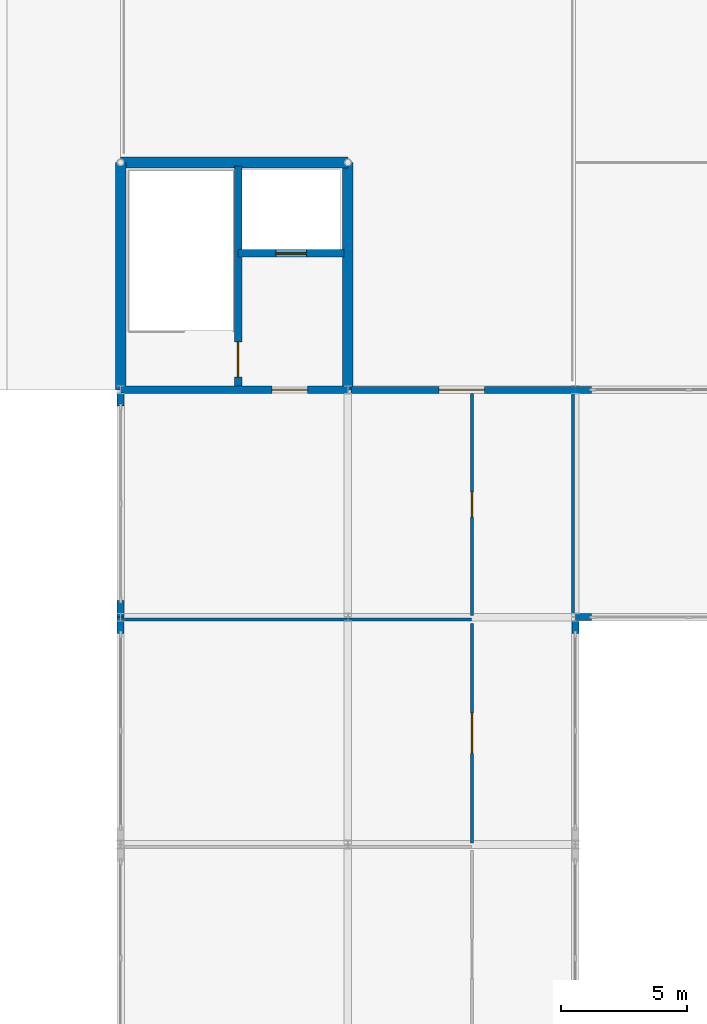
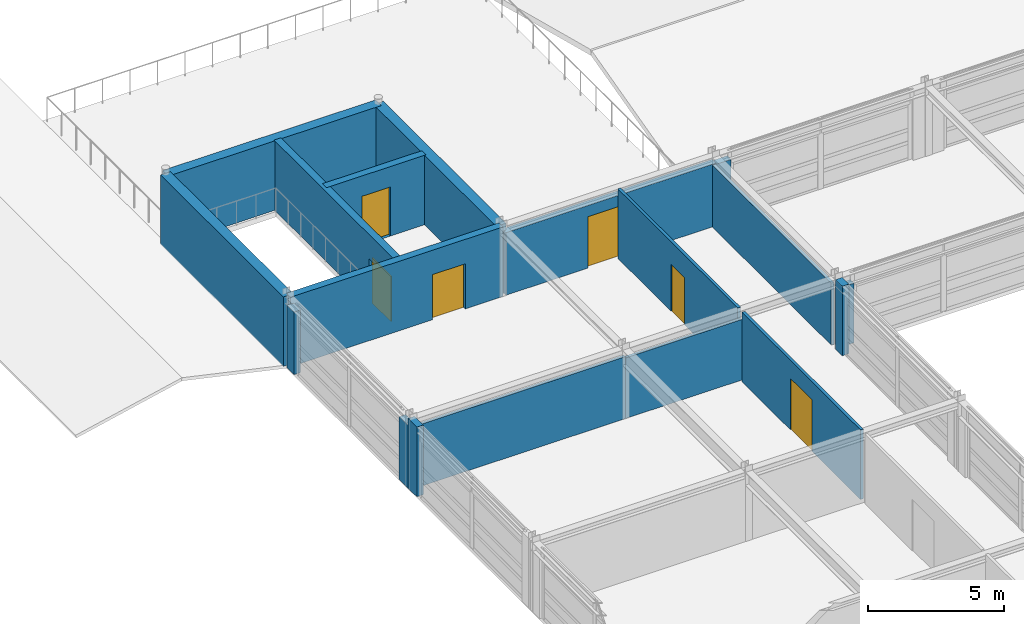
# One storey, part 75 of 91: 18 walls, 6 doors, 6 openings.
"""IFC4 building model written with IfcOpenShell, lengths in metres."""

from ifc_helpers import new_model, si_unit, direction, frame, frame_2d, origin, place, context, subcontext, project, spatial, rectangle, extrude, material, layer, layer_set, type_object, element, fill, save


model = new_model("IFC4")

# Units and contexts
model_context = context("Model", 3, precision=1e-05, world=origin(), true_north=direction((0.0, 1.0)))
body_context = subcontext(model_context, "Body", "Model", "MODEL_VIEW")
ifc_project = project(units=[si_unit("LENGTHUNIT", "METRE"), si_unit("AREAUNIT", "SQUARE_METRE"), si_unit("VOLUMEUNIT", "CUBIC_METRE"), si_unit("PLANEANGLEUNIT", "RADIAN"), si_unit("MASSUNIT", "GRAM", prefix="KILO")], contexts=[model_context])

# Site, building, storey
site_placement = place(None, origin())
site = spatial("IfcSite", under=ifc_project, at=site_placement, CompositionType="ELEMENT")
building_placement = place(site_placement, origin())
building = spatial("IfcBuilding", under=site, at=building_placement, Name="Palais des Congres Ocreval", CompositionType="ELEMENT")
storey_placement = place(building_placement, frame((0.0, 0.0, 8.159912109375)))
storey = spatial("IfcBuildingStorey", under=building, at=storey_placement, Name="L02", CompositionType="ELEMENT", Elevation=8.159912109375)

# Walls
ifc_material_1 = material(Name="Concrete C40/50", Category="concrete")
ifc_layer_1 = layer(ifc_material_1, 0.419921875)
ifc_layer_set_1 = layer_set([ifc_layer_1], Name="Congress Stone Facade Wall 420 Concrete C40/50")
wall_type_1 = type_object("IfcWallType", Name="Congress Stone Facade Wall 420 Concrete C40/50", PredefinedType="SOLIDWALL", material=ifc_layer_set_1)
for number, where, z_axis, x_axis, name in (
    (1, (108.0, 45.0, 0.0), (0.0, 0.0, 1.0), (0.0, 1.0, 0.0), "Core Perimeter Shear Wall EW02 SC10 L02"),
    (2, (108.0, 54.0, 0.0), (0.0, 0.0, 1.0), (1.0, 0.0, 0.0), "Core Perimeter Shear Wall EW02 SC10 L02"),
    (3, (117.0, 54.0, 0.0), (0.0, 0.0, 1.0), (0.0, -1.0, 0.0), "Core Perimeter Shear Wall EW02 SC10 L02"),
):
    element("IfcWall", number, at=place(storey_placement, frame(where, z_axis=z_axis, x_axis=x_axis)), inside=storey, type_object=wall_type_1, Name=name, PredefinedType="SOLIDWALL", context=body_context, shape_type="SweptSolid", body=[
        extrude(rectangle(XDim=9.0, YDim=0.419921875, at=frame_2d((4.5, 0.0))), origin(), (0.0, 0.0, 1.0), 3.110107421875),
    ])

# Wall, opening, door
ifc_layer_2 = layer(ifc_material_1, 0.300048828125)
ifc_layer_set_2 = layer_set([ifc_layer_2], Name="Core Shear Wall 300 Concrete C40/50")
wall_type_2 = type_object("IfcWallType", Name="Core Shear Wall 300 Concrete C40/50", PredefinedType="SHEAR", material=ifc_layer_set_2)
wall_1_placement = place(storey_placement, frame((108.0, 45.0, 0.0), z_axis=(0.0, 0.0, 1.0), x_axis=(1.0, 0.0, 0.0)))
wall_1 = element("IfcWall", 4, at=wall_1_placement, inside=storey, type_object=wall_type_2, Name="Core Shear Wall SC10 L02 S", PredefinedType="SHEAR", context=body_context, shape_type="SweptSolid", body=[
    extrude(rectangle(XDim=9.0, YDim=0.300048828125, at=frame_2d((4.5, 0.0))), origin(), (0.0, 0.0, 1.0), 3.110107421875),
])
opening_1_placement = place(wall_1_placement, frame((6.0, 0.0, 0.0)))
opening_1 = element("IfcOpeningElement", 5, at=opening_1_placement, cuts=wall_1, Name="Opening D03", PredefinedType="OPENING", context=body_context, shape_type="SweptSolid", body=[
    extrude(rectangle(XDim=1.39990234375, YDim=2.02001953125, at=frame_2d((0.699951171875, 1.010009765625))), frame((0.0, 0.159912109375, 0.0), z_axis=(0.0, -1.0, 0.0), x_axis=(1.0, 0.0, 0.0)), (0.0, 0.0, 1.0), 0.320068359375),
])
ifc_material_2 = material(Name="Painted fire-rated steel", Category="steel")
door_type_1 = type_object("IfcDoorType", Name="Core Lobby Rated Door 1400x2020", OperationType="NOTDEFINED", PredefinedType="DOOR", material=ifc_material_2)
door_1_placement = place(opening_1_placement, origin())
door_1 = element("IfcDoor", 6, at=door_1_placement, inside=storey, type_object=door_type_1, Name="Lift Lobby South Link Door SC10 L02", OperationType="SINGLE_SWING_RIGHT", OverallHeight=2.02001953125, OverallWidth=1.39990234375, PredefinedType="DOOR", context=body_context, shape_type="SweptSolid", body=[
    extrude(rectangle(XDim=1.39990234375, YDim=2.02001953125, at=frame_2d((0.699951171875, 1.010009765625))), frame((0.0, 0.02490234375, 0.0), z_axis=(0.0, -1.0, 0.0), x_axis=(1.0, 0.0, 0.0)), (0.0, 0.0, 1.0), 0.050048828125),
])
fill(opening_1, door_1)

wall_2_placement = place(storey_placement, frame((112.64990234375, 45.14990234375, 0.0), z_axis=(0.0, 0.0, 1.0), x_axis=(0.0, 1.0, 0.0)))
wall_2 = element("IfcWall", 7, at=wall_2_placement, inside=storey, type_object=wall_type_2, Name="Core Spine Shear Wall SC10 L02", PredefinedType="SHEAR", context=body_context, shape_type="SweptSolid", body=[
    extrude(rectangle(XDim=8.7001953125, YDim=0.300048828125, at=frame_2d((4.35009765625, 0.0))), origin(), (0.0, 0.0, 1.0), 3.110107421875),
])
opening_2_placement = place(wall_2_placement, frame((0.35009765625, 0.0, 0.0)))
opening_2 = element("IfcOpeningElement", 8, at=opening_2_placement, cuts=wall_2, Name="Opening D03", PredefinedType="OPENING", context=body_context, shape_type="SweptSolid", body=[
    extrude(rectangle(XDim=1.39990234375, YDim=2.02001953125, at=frame_2d((0.699951171875, 1.010009765625))), frame((0.0, 0.159912109375, 0.0), z_axis=(0.0, -1.0, 0.0), x_axis=(1.0, 0.0, 0.0)), (0.0, 0.0, 1.0), 0.320068359375),
])
door_2_placement = place(opening_2_placement, origin())
door_2 = element("IfcDoor", 9, at=door_2_placement, inside=storey, type_object=door_type_1, Name="Protected Exit Stair Door ST10 L02", OperationType="SINGLE_SWING_RIGHT", OverallHeight=2.02001953125, OverallWidth=1.39990234375, PredefinedType="DOOR", context=body_context, shape_type="SweptSolid", body=[
    extrude(rectangle(XDim=1.39990234375, YDim=2.02001953125, at=frame_2d((0.699951171875, 1.010009765625))), frame((0.0, 0.02490234375, 0.0), z_axis=(0.0, -1.0, 0.0), x_axis=(1.0, 0.0, 0.0)), (0.0, 0.0, 1.0), 0.050048828125),
])
fill(opening_2, door_2)

wall_3_placement = place(storey_placement, frame((112.64990234375, 50.39990234375, 0.0), z_axis=(0.0, 0.0, 1.0), x_axis=(1.0, 0.0, 0.0)))
wall_3 = element("IfcWall", 10, at=wall_3_placement, inside=storey, type_object=wall_type_2, Name="Lift Shaft Front Wall SC10 L02", PredefinedType="SHEAR", context=body_context, shape_type="SweptSolid", body=[
    extrude(rectangle(XDim=4.2001953125, YDim=0.300048828125, at=frame_2d((2.10009765625, 0.0))), origin(), (0.0, 0.0, 1.0), 3.110107421875),
])
opening_3_placement = place(wall_3_placement, frame((1.5, 0.0, 0.0)))
opening_3 = element("IfcOpeningElement", 11, at=opening_3_placement, cuts=wall_3, Name="Opening LD02", PredefinedType="OPENING", context=body_context, shape_type="SweptSolid", body=[
    extrude(rectangle(XDim=1.199951171875, YDim=2.199951171875, at=frame_2d((0.60009765625, 1.10009765625))), frame((0.0, 0.159912109375, 0.0), z_axis=(0.0, -1.0, 0.0), x_axis=(1.0, 0.0, 0.0)), (0.0, 0.0, 1.0), 0.320068359375),
])
ifc_material_3 = material(Name="Anodized bronze steel", Category="steel")
door_type_2 = type_object("IfcDoorType", Name="Passenger and Service Lift Sliding Door 1200x2200", OperationType="NOTDEFINED", PredefinedType="DOOR", material=ifc_material_3)
door_3_placement = place(opening_3_placement, origin())
door_3 = element("IfcDoor", 12, at=door_3_placement, inside=storey, type_object=door_type_2, Name="Lift Landing Sliding Door SL1 L02", OperationType="DOUBLE_DOOR_SLIDING", OverallHeight=2.199951171875, OverallWidth=1.199951171875, PredefinedType="DOOR", context=body_context, shape_type="SweptSolid", body=[
    extrude(rectangle(XDim=1.199951171875, YDim=2.199951171875, at=frame_2d((0.60009765625, 1.10009765625))), frame((0.0, 0.02490234375, 0.0), z_axis=(0.0, -1.0, 0.0), x_axis=(1.0, 0.0, 0.0)), (0.0, 0.0, 1.0), 0.050048828125),
])
fill(opening_3, door_3)

# Walls
ifc_material_4 = material(Name="Gypsum board partition")
ifc_layer_3 = layer(ifc_material_4, 0.1201171875)
ifc_layer_set_3 = layer_set([ifc_layer_3], Name="Suite Subdivision Partition 120 Gypsum (Gypsum board partition)")
wall_type_3 = type_object("IfcWallType", Name="Suite Subdivision Partition 120 Gypsum", PredefinedType="PARTITIONING", material=ifc_layer_set_3)
wall_4_placement = place(storey_placement, frame((108.14501953125, 35.909912109375, 0.0), z_axis=(0.0, 0.0, 1.0), x_axis=(1.0, 0.0, 0.0)))
element("IfcWall", 13, at=wall_4_placement, inside=storey, type_object=wall_type_3, Name="Interior Partition IW04 L02", PredefinedType="PARTITIONING", context=body_context, shape_type="SweptSolid", body=[
    extrude(rectangle(XDim=8.8349609375, YDim=0.1201171875, at=frame_2d((4.41748046875, 0.0))), origin(), (0.0, 0.0, 1.0), 2.77001953125),
])
wall_5_placement = place(storey_placement, frame((125.909912109375, 36.14501953125, 0.0), z_axis=(0.0, 0.0, 1.0), x_axis=(0.0, 1.0, 0.0)))
element("IfcWall", 14, at=wall_5_placement, inside=storey, type_object=wall_type_3, Name="Interior Partition IW04 L02", PredefinedType="PARTITIONING", context=body_context, shape_type="SweptSolid", body=[
    extrude(rectangle(XDim=8.7099609375, YDim=0.1201171875, at=frame_2d((4.35498046875, 0.0))), origin(), (0.0, 0.0, 1.0), 2.77001953125),
])

# Wall, opening, door
wall_6_placement = place(storey_placement, frame((121.909912109375, 27.06494140625, 0.0), z_axis=(0.0, 0.0, 1.0), x_axis=(0.0, 1.0, 0.0)))
wall_6 = element("IfcWall", 15, at=wall_6_placement, inside=storey, type_object=wall_type_3, Name="Interior Partition IW04 L02", PredefinedType="PARTITIONING", context=body_context, shape_type="SweptSolid", body=[
    extrude(rectangle(XDim=8.68994140625, YDim=0.1201171875, at=frame_2d((4.344970703125, 0.0))), origin(), (0.0, 0.0, 1.0), 3.110107421875),
])
opening_4_placement = place(wall_6_placement, frame((3.544921875, 0.0, 0.0)))
opening_4 = element("IfcOpeningElement", 16, at=opening_4_placement, cuts=wall_6, Name="Opening D12", PredefinedType="OPENING", context=body_context, shape_type="SweptSolid", body=[
    extrude(rectangle(XDim=1.60009765625, YDim=2.300048828125, at=frame_2d((0.800048828125, 1.14990234375))), frame((0.0, 0.070068359375, 0.0), z_axis=(0.0, -1.0, 0.0), x_axis=(1.0, 0.0, 0.0)), (0.0, 0.0, 1.0), 0.14013671875),
])
ifc_material_5 = material(Name="Solid French oak", Category="wood")
door_type_3 = type_object("IfcDoorType", Name="Meeting Room Acoustic Double Door 1600x2300", OperationType="NOTDEFINED", PredefinedType="DOOR", material=ifc_material_5)
door_4_placement = place(opening_4_placement, origin())
door_4 = element("IfcDoor", 17, at=door_4_placement, inside=storey, type_object=door_type_3, Name="Interior Door D12 L02", OperationType="DOUBLE_DOOR_SINGLE_SWING", OverallHeight=2.300048828125, OverallWidth=1.60009765625, PredefinedType="DOOR", context=body_context, shape_type="SweptSolid", body=[
    extrude(rectangle(XDim=1.60009765625, YDim=2.300048828125, at=frame_2d((0.800048828125, 1.14990234375))), frame((0.0, 0.02490234375, 0.0), z_axis=(0.0, -1.0, 0.0), x_axis=(1.0, 0.0, 0.0)), (0.0, 0.0, 1.0), 0.050048828125),
])
fill(opening_4, door_4)

wall_7_placement = place(storey_placement, frame((121.909912109375, 36.06494140625, 0.0), z_axis=(0.0, 0.0, 1.0), x_axis=(0.0, 1.0, 0.0)))
wall_7 = element("IfcWall", 18, at=wall_7_placement, inside=storey, type_object=wall_type_3, Name="Interior Partition IW04 L02", PredefinedType="PARTITIONING", context=body_context, shape_type="SweptSolid", body=[
    extrude(rectangle(XDim=8.7900390625, YDim=0.1201171875, at=frame_2d((4.39501953125, 0.0))), origin(), (0.0, 0.0, 1.0), 3.110107421875),
])
opening_5_placement = place(wall_7_placement, frame((3.89501953125, 0.0, 0.0)))
opening_5 = element("IfcOpeningElement", 19, at=opening_5_placement, cuts=wall_7, Name="Opening D10", PredefinedType="OPENING", context=body_context, shape_type="SweptSolid", body=[
    extrude(rectangle(XDim=1.0, YDim=2.10009765625, at=frame_2d((0.5, 1.050048828125))), frame((0.0, 0.070068359375, 0.0), z_axis=(0.0, -1.0, 0.0), x_axis=(1.0, 0.0, 0.0)), (0.0, 0.0, 1.0), 0.14013671875),
])
ifc_material_6 = material(Name="Painted steel", Category="steel")
door_type_4 = type_object("IfcDoorType", Name="Service and Pantry Door 1000x2100", OperationType="NOTDEFINED", PredefinedType="DOOR", material=ifc_material_6)
door_5_placement = place(opening_5_placement, origin())
door_5 = element("IfcDoor", 20, at=door_5_placement, inside=storey, type_object=door_type_4, Name="Interior Door D10 L02", OperationType="SINGLE_SWING_LEFT", OverallHeight=2.10009765625, OverallWidth=1.0, PredefinedType="DOOR", context=body_context, shape_type="SweptSolid", body=[
    extrude(rectangle(XDim=1.0, YDim=2.10009765625, at=frame_2d((0.5, 1.050048828125))), frame((0.0, 0.02490234375, 0.0), z_axis=(0.0, -1.0, 0.0), x_axis=(1.0, 0.0, 0.0)), (0.0, 0.0, 1.0), 0.050048828125),
])
fill(opening_5, door_5)

# Wall
wall_8_placement = place(storey_placement, frame((116.97998046875, 35.909912109375, 0.0), z_axis=(0.0, 0.0, 1.0), x_axis=(1.0, 0.0, 0.0)))
element("IfcWall", 21, at=wall_8_placement, inside=storey, type_object=wall_type_3, Name="Interior Partition IW04 L02", PredefinedType="PARTITIONING", context=body_context, shape_type="SweptSolid", body=[
    extrude(rectangle(XDim=4.919921875, YDim=0.1201171875, at=frame_2d((2.4599609375, 0.0))), origin(), (0.0, 0.0, 1.0), 2.710205078125),
])

# Wall, opening, door
ifc_layer_4 = layer(ifc_material_1, 0.280029296875)
ifc_layer_set_4 = layer_set([ifc_layer_4], Name="Terracotta Mineral-Lime Facade Wall 280 Concrete C40/50")
wall_type_4 = type_object("IfcWallType", Name="Terracotta Mineral-Lime Facade Wall 280 Concrete C40/50", PredefinedType="SOLIDWALL", material=ifc_layer_set_4)
wall_9_placement = place(storey_placement, frame((117.1298828125, 45.0, 0.0), z_axis=(0.0, 0.0, 1.0), x_axis=(1.0, 0.0, 0.0)))
wall_9 = element("IfcWall", 22, at=wall_9_placement, inside=storey, type_object=wall_type_4, Name="Exterior Wall EW05 L02", PredefinedType="SOLIDWALL", context=body_context, shape_type="SweptSolid", body=[
    extrude(rectangle(XDim=8.8701171875, YDim=0.280029296875, at=frame_2d((4.43505859375, 0.0))), origin(), (0.0, 0.0, 1.0), 2.800048828125),
])
opening_6_placement = place(wall_9_placement, frame((3.469970703125, 0.0, 0.0)))
opening_6 = element("IfcOpeningElement", 23, at=opening_6_placement, cuts=wall_9, Name="Opening TD01", PredefinedType="OPENING", context=body_context, shape_type="SweptSolid", body=[
    extrude(rectangle(XDim=1.800048828125, YDim=2.300048828125, at=frame_2d((0.89990234375, 1.14990234375))), frame((0.0, 0.14990234375, 0.0), z_axis=(0.0, -1.0, 0.0), x_axis=(1.0, 0.0, 0.0)), (0.0, 0.0, 1.0), 0.300048828125),
])
ifc_material_7 = material(Name="Anodized bronze aluminium and safety glass", Category="aluminium")
door_type_5 = type_object("IfcDoorType", Name="Glazed Terrace Double Door 1800x2300", OperationType="NOTDEFINED", PredefinedType="DOOR", material=ifc_material_7)
door_6_placement = place(opening_6_placement, origin())
door_6 = element("IfcDoor", 24, at=door_6_placement, inside=storey, type_object=door_type_5, Name="Terrace Access Door Spa Solarium Garden Terrace", OperationType="DOUBLE_DOOR_SINGLE_SWING", OverallHeight=2.300048828125, OverallWidth=1.800048828125, PredefinedType="DOOR", context=body_context, shape_type="SweptSolid", body=[
    extrude(rectangle(XDim=1.800048828125, YDim=2.300048828125, at=frame_2d((0.89990234375, 1.14990234375))), frame((0.0, 0.02490234375, 0.0), z_axis=(0.0, -1.0, 0.0), x_axis=(1.0, 0.0, 0.0)), (0.0, 0.0, 1.0), 0.050048828125),
])
fill(opening_6, door_6)

# Walls
wall_10_placement = place(storey_placement, frame((126.0, 45.0, 0.0), z_axis=(0.0, 0.0, 1.0), x_axis=(1.0, 0.0, 0.0)))
element("IfcWall", 25, at=wall_10_placement, inside=storey, type_object=wall_type_4, Name="Facade Pier EW05 L02", PredefinedType="SOLIDWALL", context=body_context, shape_type="SweptSolid", body=[
    extrude(rectangle(XDim=0.64990234375, YDim=0.280029296875, at=frame_2d((0.324951171875, 0.0))), origin(), (0.0, 0.0, 1.0), 2.739990234375),
])
wall_11_placement = place(storey_placement, frame((108.0, 35.35009765625, 0.0), z_axis=(0.0, 0.0, 1.0), x_axis=(0.0, 1.0, 0.0)))
element("IfcWall", 26, at=wall_11_placement, inside=storey, type_object=wall_type_4, Name="Facade Pier EW05 L02", PredefinedType="SOLIDWALL", context=body_context, shape_type="SweptSolid", body=[
    extrude(rectangle(XDim=0.64990234375, YDim=0.280029296875, at=frame_2d((0.324951171875, 0.0))), origin(), (0.0, 0.0, 1.0), 3.110107421875),
])
wall_12_placement = place(storey_placement, frame((108.0, 36.0, 0.0), z_axis=(0.0, 0.0, 1.0), x_axis=(0.0, 1.0, 0.0)))
element("IfcWall", 27, at=wall_12_placement, inside=storey, type_object=wall_type_4, Name="Facade Pier EW05 L02", PredefinedType="SOLIDWALL", context=body_context, shape_type="SweptSolid", body=[
    extrude(rectangle(XDim=0.64990234375, YDim=0.280029296875, at=frame_2d((0.324951171875, 0.0))), origin(), (0.0, 0.0, 1.0), 2.800048828125),
])
wall_13_placement = place(storey_placement, frame((108.0, 44.35009765625, 0.0), z_axis=(0.0, 0.0, 1.0), x_axis=(0.0, 1.0, 0.0)))
element("IfcWall", 28, at=wall_13_placement, inside=storey, type_object=wall_type_4, Name="Facade Pier EW05 L02", PredefinedType="SOLIDWALL", context=body_context, shape_type="SweptSolid", body=[
    extrude(rectangle(XDim=0.52001953125, YDim=0.280029296875, at=frame_2d((0.260009765625, 0.0))), origin(), (0.0, 0.0, 1.0), 2.800048828125),
])
wall_14_placement = place(storey_placement, frame((126.64990234375, 36.0, 0.0), z_axis=(0.0, 0.0, 1.0), x_axis=(-1.0, 0.0, 0.0)))
element("IfcWall", 29, at=wall_14_placement, inside=storey, type_object=wall_type_4, Name="Facade Pier EW05 L02", PredefinedType="SOLIDWALL", context=body_context, shape_type="SweptSolid", body=[
    extrude(rectangle(XDim=0.64990234375, YDim=0.280029296875, at=frame_2d((0.324951171875, 0.0))), origin(), (0.0, 0.0, 1.0), 2.66015625),
])
wall_15_placement = place(storey_placement, frame((126.0, 35.844970703125, 0.0), z_axis=(0.0, 0.0, 1.0), x_axis=(0.0, -1.0, 0.0)))
element("IfcWall", 30, at=wall_15_placement, inside=storey, type_object=wall_type_4, Name="Facade Pier EW05 L02", PredefinedType="SOLIDWALL", context=body_context, shape_type="SweptSolid", body=[
    extrude(rectangle(XDim=0.494873046875, YDim=0.280029296875, at=frame_2d((0.24755859375, 0.0))), origin(), (0.0, 0.0, 1.0), 3.110107421875),
])

save(model, "model.ifc")
